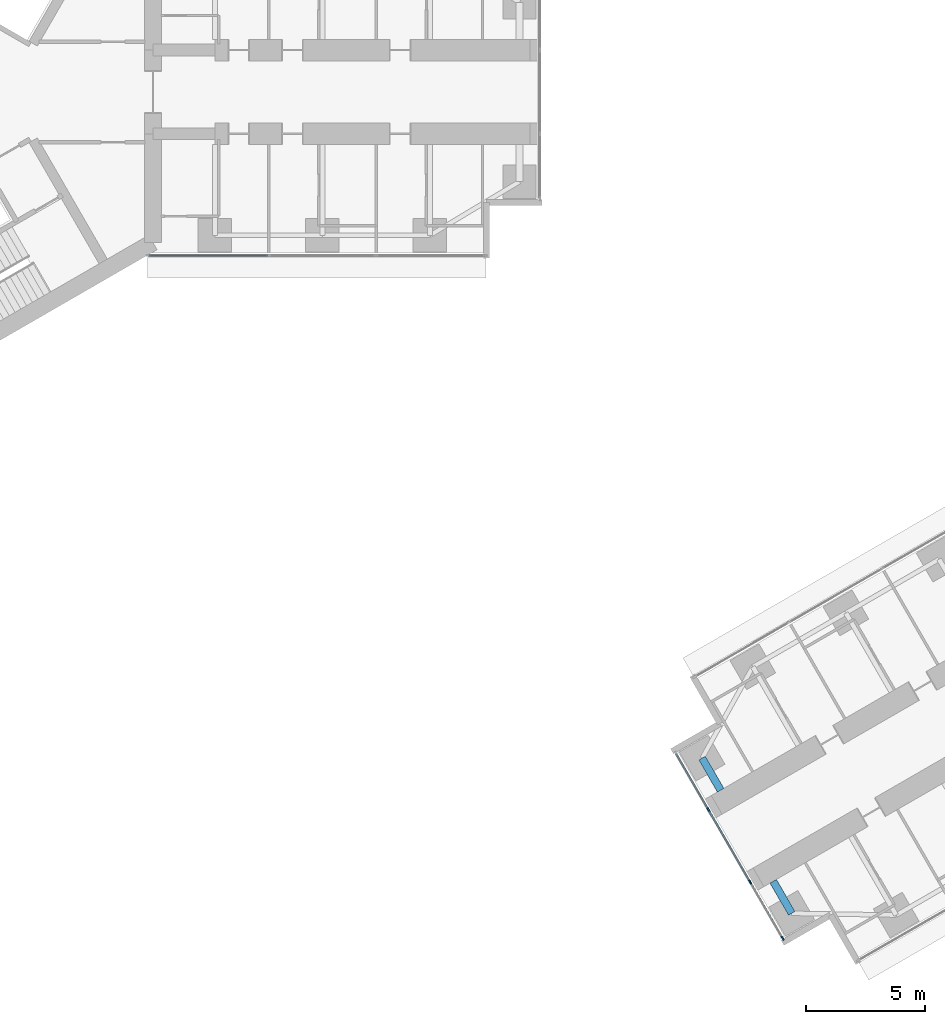
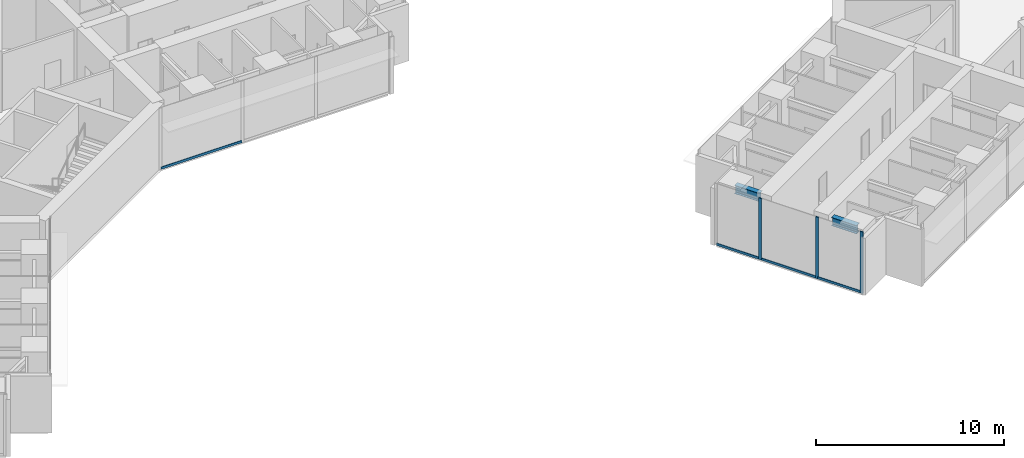
# One storey, part 3 of 25: 7 members, 2 beams, 2 elements without a shape of their own.
"""IFC4 building model written with IfcOpenShell, lengths in metres."""

from ifc_helpers import new_model, si_unit, direction, frame, origin, origin_2d, place, context, subcontext, project, spatial, rectangle, i_section, extrude, material, material_profile, profile_set, type_object, element, aggregate, save


model = new_model("IFC4")

# Units and contexts
model_context = context("Model", 3, precision=1e-05, world=origin(), true_north=direction((0.0, 1.0)))
body_context = subcontext(model_context, "Body", "Model", "MODEL_VIEW")
ifc_project = project(units=[si_unit("LENGTHUNIT", "METRE"), si_unit("AREAUNIT", "SQUARE_METRE"), si_unit("VOLUMEUNIT", "CUBIC_METRE"), si_unit("PLANEANGLEUNIT", "RADIAN"), si_unit("MASSUNIT", "GRAM", prefix="KILO")], contexts=[model_context])

# Site, building, storey
site_placement = place(None, origin())
site = spatial("IfcSite", under=ifc_project, at=site_placement, CompositionType="ELEMENT")
building_placement = place(site_placement, origin())
building = spatial("IfcBuilding", under=site, at=building_placement, Name="Upepo Twin Towers", CompositionType="ELEMENT")
storey_placement = place(building_placement, frame((0.0, 0.0, 88.5)))
storey = spatial("IfcBuildingStorey", under=building, at=storey_placement, Name="L21", CompositionType="ELEMENT", Elevation=88.5)

# Beams
ifc_material_1 = material(Name="Steel S355", Category="steel")
ifc_material_profile_1 = material_profile(ifc_material_1, i_section(OverallWidth=0.31201171875, OverallDepth=0.54345703125, WebThickness=0.0126953125, FlangeThickness=0.020263671875, FilletRadius=0.0126953125, at=origin_2d()), Name="UB 533x312x150")
ifc_profile_set_1 = profile_set([ifc_material_profile_1], Name="Steel S355")
beam_type = type_object("IfcBeamType", Name="Beam UB 533x312x150", PredefinedType="BEAM", material=ifc_profile_set_1)
for number, where, z_axis, x_axis, name in (
    (1, (37.641845703125, -34.37255859375, 3.42822265625), (-0.499967891604, 0.866043940782, 0.0), (-0.866043940782, -0.499967891604, 0.0), "T2 nose beam BL"),
    (2, (33.891845703125, -27.87744140625, 3.42822265625), (0.499967891604, -0.866043940782, 0.0), (0.866043940782, 0.499967891604, 0.0), "T2 nose beam BR"),
):
    element("IfcBeam", number, at=place(storey_placement, frame(where, z_axis=z_axis, x_axis=x_axis)), inside=storey, type_object=beam_type, Name=name, PredefinedType="BEAM", context=body_context, shape_type="SweptSolid", body=[
        extrude(i_section(OverallWidth=0.31201171875, OverallDepth=0.54345703125, WebThickness=0.0126953125, FlangeThickness=0.020263671875, FilletRadius=0.0126953125, at=origin_2d()), origin(), (0.0, 0.0, 1.0), 1.5498046875),
    ])

# Curtain wall, members
ifc_material_2 = material(Name="Aluminium and fritted glass", Category="aluminium")
curtain_wall_type = type_object("IfcCurtainWallType", Name="Tower curtain wall TW1, fritted glass", PredefinedType="NOTDEFINED", material=ifc_material_2)
curtain_wall_1_placement = place(storey_placement, origin())
curtain_wall_1 = element("IfcCurtainWall", 3, at=curtain_wall_1_placement, inside=storey, type_object=curtain_wall_type, Name="T2 L21 wing B nose curtain wall", PredefinedType="NOTDEFINED")
ifc_material_3 = material(Name="Aluminium mullion", Category="aluminium")
ifc_material_profile_2 = material_profile(ifc_material_3, rectangle(XDim=0.06494140625, YDim=0.179931640625, at=origin_2d()), Name="MULLION 65x180")
ifc_profile_set_2 = profile_set([ifc_material_profile_2], Name="Aluminium mullion")
member_type_1 = type_object("IfcMemberType", Name="Mullion 65x180 TW1", PredefinedType="MULLION", material=ifc_profile_set_2)
member_1_placement = place(storey_placement, frame((34.15576171875, -30.034423828125, 0.0), z_axis=(0.0, 0.0, 1.0), x_axis=(0.866025386174, 0.500000030502, 0.0)))
member_1 = element("IfcMember", 4, at=member_1_placement, type_object=member_type_1, Name="T2 L21 wing B nose curtain wall mullion 2", PredefinedType="MULLION", context=body_context, shape_type="SweptSolid", body=[
    extrude(rectangle(XDim=0.06494140625, YDim=0.179931640625, at=origin_2d()), origin(), (0.0, 0.0, 1.0), 4.0),
])
member_2_placement = place(storey_placement, frame((35.90576171875, -33.0654296875, 0.0), z_axis=(0.0, 0.0, 1.0), x_axis=(0.866025386174, 0.500000030502, 0.0)))
member_2 = element("IfcMember", 5, at=member_2_placement, type_object=member_type_1, Name="T2 L21 wing B nose curtain wall mullion 3", PredefinedType="MULLION", context=body_context, shape_type="SweptSolid", body=[
    extrude(rectangle(XDim=0.06494140625, YDim=0.179931640625, at=origin_2d()), origin(), (0.0, 0.0, 1.0), 4.0),
])
member_3_placement = place(storey_placement, frame((37.264404296875, -35.4189453125, 0.0), z_axis=(0.0, 0.0, 1.0), x_axis=(0.866025386174, 0.500000030502, 0.0)))
member_3 = element("IfcMember", 6, at=member_3_placement, type_object=member_type_1, Name="T2 L21 wing B nose curtain wall mullion 4", PredefinedType="MULLION", context=body_context, shape_type="SweptSolid", body=[
    extrude(rectangle(XDim=0.06494140625, YDim=0.179931640625, at=origin_2d()), origin(), (0.0, 0.0, 1.0), 4.0),
])

# Curtain wall, member
curtain_wall_2_placement = place(storey_placement, origin())
curtain_wall_2 = element("IfcCurtainWall", 7, at=curtain_wall_2_placement, inside=storey, type_object=curtain_wall_type, Name="T1 L21 wing A flank R curtain wall", PredefinedType="NOTDEFINED")
ifc_material_4 = material(Name="Aluminium transom", Category="aluminium")
ifc_material_profile_3 = material_profile(ifc_material_4, rectangle(XDim=0.06494140625, YDim=0.14990234375, at=origin_2d()), Name="TRANSOM 65x150")
ifc_profile_set_3 = profile_set([ifc_material_profile_3], Name="Aluminium transom")
member_type_2 = type_object("IfcMemberType", Name="Transom 65x150 TW1", PredefinedType="USERDEFINED", material=ifc_profile_set_3)
member_4_placement = place(storey_placement, frame((15.717529296875, -6.85009765625, 0.074951171875), z_axis=(-1.0, 0.0, 0.0), x_axis=(0.0, -1.0, 0.0)))
member_4 = element("IfcMember", 8, at=member_4_placement, type_object=member_type_2, Name="T1 L21 wing A flank R curtain wall transom 3", ObjectType="TRANSOM", PredefinedType="USERDEFINED", context=body_context, shape_type="SweptSolid", body=[
    extrude(rectangle(XDim=0.06494140625, YDim=0.14990234375, at=origin_2d()), origin(), (0.0, 0.0, 1.0), 4.96533203125),
])
aggregate(curtain_wall_2, [member_4])

# Member
member_5_placement = place(storey_placement, frame((32.813232421875, -27.709228515625, 0.074951171875), z_axis=(0.499980071345, -0.866036909293, 0.0), x_axis=(0.866036909293, 0.499980071345, 0.0)))
member_5 = element("IfcMember", 9, at=member_5_placement, type_object=member_type_2, Name="T2 L21 wing B nose curtain wall transom 1", ObjectType="TRANSOM", PredefinedType="USERDEFINED", context=body_context, shape_type="SweptSolid", body=[
    extrude(rectangle(XDim=0.06494140625, YDim=0.14990234375, at=origin_2d()), origin(), (0.0, 0.0, 1.0), 2.65234375),
])

member_6_placement = place(storey_placement, frame((34.171875, -30.0625, 0.074951171875), z_axis=(0.499999305434, -0.866025804792, 0.0), x_axis=(0.866025804792, 0.499999305434, 0.0)))
member_6 = element("IfcMember", 10, at=member_6_placement, type_object=member_type_2, Name="T2 L21 wing B nose curtain wall transom 2", ObjectType="TRANSOM", PredefinedType="USERDEFINED", context=body_context, shape_type="SweptSolid", body=[
    extrude(rectangle(XDim=0.06494140625, YDim=0.14990234375, at=origin_2d()), origin(), (0.0, 0.0, 1.0), 3.43505859375),
])

member_7_placement = place(storey_placement, frame((35.921875, -33.09375, 0.074951171875), z_axis=(0.500049101008, -0.865997053448, 0.0), x_axis=(0.865997053448, 0.500049101008, 0.0)))
member_7 = element("IfcMember", 11, at=member_7_placement, type_object=member_type_2, Name="T2 L21 wing B nose curtain wall transom 3", ObjectType="TRANSOM", PredefinedType="USERDEFINED", context=body_context, shape_type="SweptSolid", body=[
    extrude(rectangle(XDim=0.06494140625, YDim=0.14990234375, at=origin_2d()), origin(), (0.0, 0.0, 1.0), 2.652587890625),
])

aggregate(curtain_wall_1, [member_1, member_2, member_3, member_5, member_6, member_7])

save(model, "model.ifc")
